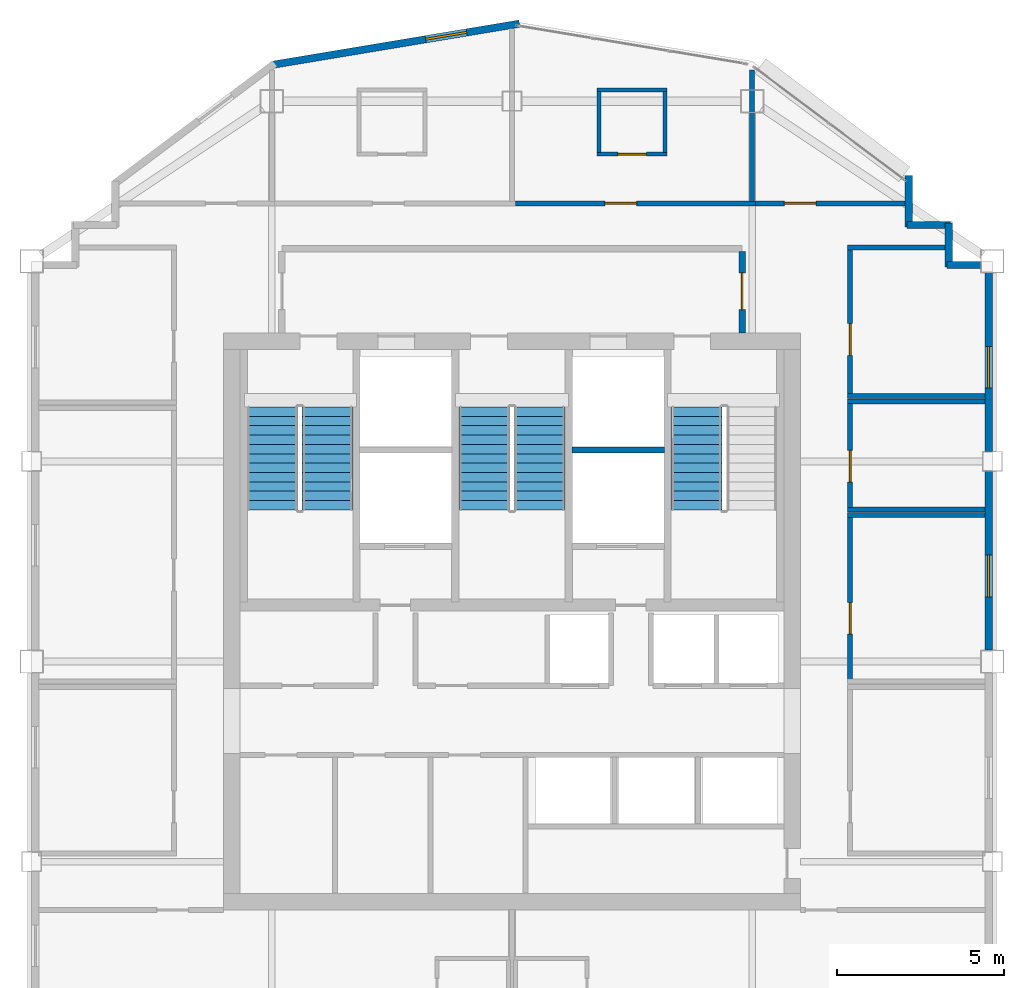
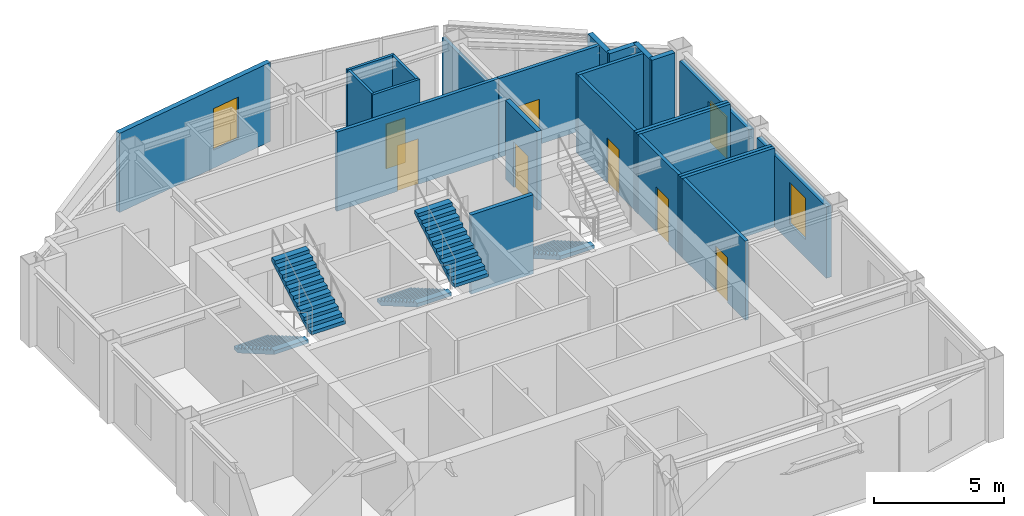
# One storey, part 7 of 9: 24 walls, 7 doors, 5 stair flights, 3 windows, 10 openings, 3 elements without a shape of their own.
"""IFC4 building model written with IfcOpenShell, lengths in metres."""

import ifcopenshell
import ifcopenshell.guid

model = None  # the IFC model being written
_history = None  # IfcOwnerHistory: only IFC2X3 demands one
_inside = {}  # id of a spatial element -> (the spatial element, [elements in it])
_under = {}  # id of a project, library or spatial element -> (it, [spatial elements below it])
_declared = {}  # id of a project -> (the project, [libraries it declares])
_typed = {}  # id of a type object -> (the type object, [elements of that type])
_made_of = {}  # id of a material, layer set ... -> (it, [elements and type objects made of it])


def new_model(schema):
    """Start an empty IFC model of exactly this schema.

    Asked for "IFC4X3", IfcOpenShell would pick the latest addendum, in which some entities
    have other attributes; the version numbers below select the first issue.
    IFC2X3 requires an IfcOwnerHistory on every rooted entity: one is made here for all.
    """
    global model, _history
    if schema == "IFC4X3":
        model = ifcopenshell.file(schema_version=(4, 3, 0, 0))
    else:
        model = ifcopenshell.file(schema=schema)
    _inside.clear()
    _under.clear()
    _declared.clear()
    _typed.clear()
    _made_of.clear()
    _history = None
    if model.schema == "IFC2X3":
        org = make("IfcOrganization", Name="unknown")
        user = make(
            "IfcPersonAndOrganization",
            ThePerson=make("IfcPerson", FamilyName="unknown"),
            TheOrganization=org,
        )
        app = make(
            "IfcApplication",
            ApplicationDeveloper=org,
            Version="unknown",
            ApplicationFullName="unknown",
            ApplicationIdentifier="unknown",
        )
        _history = make(
            "IfcOwnerHistory",
            OwningUser=user,
            OwningApplication=app,
            ChangeAction="ADDED",
            CreationDate=0,
        )
    return model


def make(cls, **values):
    """One entity of the class cls with the attributes given. An attribute that is None is left unset."""
    return model.create_entity(
        cls, **{name: value for name, value in values.items() if value is not None}
    )


def rooted(cls, **values):
    """An entity with a GlobalId (a new one), such as an element, a storey or a relation."""
    return make(cls, GlobalId=ifcopenshell.guid.new(), OwnerHistory=_history, **values)


def si_unit(unit_type, name, prefix=None):
    """IfcSIUnit, for example si_unit("LENGTHUNIT", "METRE", prefix="MILLI")."""
    return make("IfcSIUnit", UnitType=unit_type, Prefix=prefix, Name=name)


def assignment(units):
    """IfcUnitAssignment: the units of a project."""
    return None if units is None else make("IfcUnitAssignment", Units=units)


def point(xyz):
    """IfcCartesianPoint."""
    return None if xyz is None else make("IfcCartesianPoint", Coordinates=xyz)


def direction(xyz):
    """IfcDirection."""
    return None if xyz is None else make("IfcDirection", DirectionRatios=xyz)


def frame(location, z_axis=None, x_axis=None):
    """IfcAxis2Placement3D, a coordinate frame: its origin and axes. An axis left out is left unset."""
    return make(
        "IfcAxis2Placement3D",
        Location=point(location),
        Axis=direction(z_axis),
        RefDirection=direction(x_axis),
    )


def frame_2d(location, x_axis=None):
    """IfcAxis2Placement2D, a coordinate frame in the plane: its origin and x axis."""
    return make(
        "IfcAxis2Placement2D", Location=point(location), RefDirection=direction(x_axis)
    )


def origin():
    """The frame at (0, 0, 0) with its axes left unset."""
    return frame((0.0, 0.0, 0.0))


def place(relative_to, where):
    """IfcLocalPlacement: puts the frame where relative to a parent placement (None: the world)."""
    return make(
        "IfcLocalPlacement", PlacementRelTo=relative_to, RelativePlacement=where
    )


def context(
    kind, dimensions, precision=None, world=None, true_north=None, identifier=None
):
    """IfcGeometricRepresentationContext, for example the 3D "Model" context."""
    return make(
        "IfcGeometricRepresentationContext",
        ContextIdentifier=identifier,
        ContextType=kind,
        CoordinateSpaceDimension=dimensions,
        Precision=precision,
        WorldCoordinateSystem=world,
        TrueNorth=true_north,
    )


def subcontext(parent, identifier, kind, view, scale=None):
    """IfcGeometricRepresentationSubContext, for example "Body" below "Model"."""
    return make(
        "IfcGeometricRepresentationSubContext",
        ContextIdentifier=identifier,
        ContextType=kind,
        ParentContext=parent,
        TargetScale=scale,
        TargetView=view,
    )


def project(units=None, contexts=None):
    """IfcProject with its units and contexts."""
    return rooted(
        "IfcProject",
        Name="project",
        RepresentationContexts=contexts,
        UnitsInContext=assignment(units),
    )


def spatial(cls, under=None, at=None, **own):
    """A site, building, storey or space (cls), placed at a placement, below another one or the project."""
    s = rooted(cls, ObjectPlacement=at, **own)
    if under is not None:
        _under.setdefault(under.id(), (under, []))[1].append(s)
    return s


def polyline(points):
    """IfcPolyline through the points."""
    return make("IfcPolyline", Points=[point(p) for p in points])


def profile(cls, at=None, kind="AREA", **sizes):
    """A parametric profile (cls). Its sizes go by their IFC names, for example OverallWidth=200.0."""
    return make(cls, ProfileType=kind, Position=at, **sizes)


def rectangle(**sizes):
    """IfcRectangleProfileDef."""
    return profile("IfcRectangleProfileDef", **sizes)


def outline(outer, holes=None, kind="AREA"):
    """IfcArbitraryClosedProfileDef: a profile drawn as a closed curve; with holes, ...WithVoids."""
    if holes is None:
        return make("IfcArbitraryClosedProfileDef", ProfileType=kind, OuterCurve=outer)
    return make(
        "IfcArbitraryProfileDefWithVoids",
        ProfileType=kind,
        OuterCurve=outer,
        InnerCurves=holes,
    )


def extrude(swept, where, along, depth):
    """IfcExtrudedAreaSolid: the profile swept, set in the frame where, extruded along a direction by depth."""
    return make(
        "IfcExtrudedAreaSolid",
        SweptArea=swept,
        Position=where,
        ExtrudedDirection=direction(along),
        Depth=depth,
    )


def shape(context_of_items, identifier, shape_type, items):
    """IfcShapeRepresentation: the items that make up one representation, for example the "Body"."""
    return make(
        "IfcShapeRepresentation",
        ContextOfItems=context_of_items,
        RepresentationIdentifier=identifier,
        RepresentationType=shape_type,
        Items=items,
    )


def material(Name=None, Category=None):
    """IfcMaterial."""
    return make("IfcMaterial", Name=Name, Category=Category)


def layer(
    of_material, thickness, ventilated=None, Name=None, Category=None, Priority=None
):
    """IfcMaterialLayer: one layer of a wall or slab, of a material (None: an air gap)."""
    return make(
        "IfcMaterialLayer",
        Material=of_material,
        LayerThickness=thickness,
        IsVentilated=ventilated,
        Name=Name,
        Category=Category,
        Priority=Priority,
    )


def layer_set(layers, Name=None):
    """IfcMaterialLayerSet."""
    return make("IfcMaterialLayerSet", MaterialLayers=layers, LayerSetName=Name)


def made_of(thing, what):
    """Note that an element or type object is made of a material, layer set ...; save() writes the relation."""
    if what is not None:
        _made_of.setdefault(what.id(), (what, []))[1].append(thing)
    return thing


def type_object(cls, material=None, **own):
    """A type object (cls), such as IfcWallType, which elements share."""
    return made_of(rooted(cls, **own), material)


def element(
    cls,
    number,
    at=None,
    inside=None,
    cuts=None,
    type_object=None,
    material=None,
    context=None,
    identifier="Body",
    shape_type=None,
    held_by="IfcProductDefinitionShape",
    body=None,
    shapes=None,
    **own,
):
    """One element of the class cls, such as IfcWall. Its Tag is "e" and its number.

    at: its placement. inside: the storey or other place that contains it. cuts: it is an
    opening in that element (IfcRelVoidsElement). A single representation is given by context,
    identifier, shape_type and body (its items); several are given by shapes. held_by: the class
    of the entity that holds the representations. save() writes the other relations.
    """
    e = rooted(cls, Tag="e%d" % number, ObjectPlacement=at, **own)
    if body is not None:
        shapes = [shape(context, identifier, shape_type, body)]
    if shapes is not None:
        e.Representation = make(held_by, Representations=shapes)
    if inside is not None:
        _inside.setdefault(inside.id(), (inside, []))[1].append(e)
    if cuts is not None:
        rooted(
            "IfcRelVoidsElement", RelatingBuildingElement=cuts, RelatedOpeningElement=e
        )
    if type_object is not None:
        _typed.setdefault(type_object.id(), (type_object, []))[1].append(e)
    return made_of(e, material)


def fill(opening, filler):
    """IfcRelFillsElement: the door or window that sits in an opening."""
    return rooted(
        "IfcRelFillsElement",
        RelatingOpeningElement=opening,
        RelatedBuildingElement=filler,
    )


def aggregate(whole, parts):
    """IfcRelAggregates: a whole, such as a stair, and the parts it consists of."""
    return rooted("IfcRelAggregates", RelatingObject=whole, RelatedObjects=parts)


def save(model, path):
    """Write the relations noted so far, then the file.

    IfcRelAggregates (storeys below a building ...), IfcRelContainedInSpatialStructure (elements
    in a storey), IfcRelDefinesByType, IfcRelAssociatesMaterial and IfcRelDeclares: one each for
    every whole, place, type object, material and project.
    """
    for whole, parts in _under.values():
        aggregate(whole, parts)
    for where, things in _inside.values():
        rooted(
            "IfcRelContainedInSpatialStructure",
            RelatedElements=things,
            RelatingStructure=where,
        )
    for kind, things in _typed.values():
        rooted("IfcRelDefinesByType", RelatedObjects=things, RelatingType=kind)
    for what, things in _made_of.values():
        rooted("IfcRelAssociatesMaterial", RelatedObjects=things, RelatingMaterial=what)
    for by, libraries in _declared.values():
        rooted("IfcRelDeclares", RelatingContext=by, RelatedDefinitions=libraries)
    model.write(path)


model = new_model("IFC4")

# Units and contexts
model_context = context("Model", 3, precision=1e-05, world=origin(), true_north=direction((0.0, 1.0)))
body_context = subcontext(model_context, "Body", "Model", "MODEL_VIEW")
ifc_project = project(units=[si_unit("LENGTHUNIT", "METRE"), si_unit("AREAUNIT", "SQUARE_METRE"), si_unit("VOLUMEUNIT", "CUBIC_METRE"), si_unit("PLANEANGLEUNIT", "RADIAN"), si_unit("MASSUNIT", "GRAM", prefix="KILO")], contexts=[model_context])

# Site, building, storey
site_placement = place(None, origin())
site = spatial("IfcSite", under=ifc_project, at=site_placement, CompositionType="ELEMENT")
building_placement = place(site_placement, origin())
building = spatial("IfcBuilding", under=site, at=building_placement, Name="Haolan Belvedere Tower", CompositionType="ELEMENT")
storey_placement = place(building_placement, frame((0.0, 0.0, 290.0)))
storey = spatial("IfcBuildingStorey", under=building, at=storey_placement, Name="L73", CompositionType="ELEMENT", Elevation=290.0)

# Wall, opening, window
ifc_material_1 = material(Name="Precast concrete C40/50", Category="concrete")
ifc_layer_1 = layer(ifc_material_1, 0.219970703125, Name="Precast concrete C40/50")
ifc_layer_set_1 = layer_set([ifc_layer_1], Name="Precast concrete C40/50")
wall_type_1 = type_object("IfcWallType", Name="WL-EXT-220", PredefinedType="SOLIDWALL", material=ifc_layer_set_1)
wall_1_placement = place(storey_placement, frame((52.68994140625, 33.94189453125, 0.0), z_axis=(0.0, 0.0, 1.0), x_axis=(0.0, 1.0, 0.0)))
wall_1 = element("IfcWall", 1, at=wall_1_placement, inside=storey, type_object=wall_type_1, Name="L73 pale-metal exterior spandrel wall 3.3", PredefinedType="SOLIDWALL", context=body_context, shape_type="SweptSolid", body=[
    extrude(rectangle(XDim=5.3662109375, YDim=0.219970703125, at=frame_2d((2.68310546875, 0.0))), origin(), (0.0, 0.0, 1.0), 3.364990234375),
])
opening_1_placement = place(wall_1_placement, frame((1.60009765625, 0.0, 0.85009765625)))
opening_1 = element("IfcOpeningElement", 2, at=opening_1_placement, cuts=wall_1, Name="Opening W-04", PredefinedType="OPENING", context=body_context, shape_type="SweptSolid", body=[
    extrude(rectangle(XDim=1.25, YDim=1.949951171875, at=frame_2d((0.625, 0.97509765625))), frame((0.0, 0.119873046875, 0.0), z_axis=(0.0, -1.0, 0.0), x_axis=(1.0, 0.0, 0.0)), (0.0, 0.0, 1.0), 0.239990234375),
])
ifc_material_2 = material(Name="Anodised aluminium 6063-T6 and Low-E glass", Category="aluminium")
window_type = type_object("IfcWindowType", Name="WN-DECO-Z4", PartitioningType="SINGLE_PANEL", PredefinedType="WINDOW", material=ifc_material_2)
window_1_placement = place(opening_1_placement, origin())
window_1 = element("IfcWindow", 3, at=window_1_placement, inside=storey, type_object=window_type, Name="L73 Art Deco chevron window 1", OverallHeight=1.949951171875, OverallWidth=1.25, PartitioningType="SINGLE_PANEL", PredefinedType="WINDOW", context=body_context, shape_type="SweptSolid", body=[
    extrude(rectangle(XDim=1.25, YDim=1.949951171875, at=frame_2d((0.625, 0.97509765625))), frame((0.0, 0.030029296875, 0.0), z_axis=(0.0, -1.0, 0.0), x_axis=(1.0, 0.0, 0.0)), (0.0, 0.0, 1.0), 0.06005859375),
])
fill(opening_1, window_1)

wall_2_placement = place(storey_placement, frame((52.68994140625, 39.89208984375, 0.0), z_axis=(0.0, 0.0, 1.0), x_axis=(0.0, 1.0, 0.0)))
wall_2 = element("IfcWall", 4, at=wall_2_placement, inside=storey, type_object=wall_type_1, Name="L73 pale-metal exterior spandrel wall 3.4", PredefinedType="SOLIDWALL", context=body_context, shape_type="SweptSolid", body=[
    extrude(rectangle(XDim=5.365966796875, YDim=0.219970703125, at=frame_2d((2.68310546875, 0.0))), origin(), (0.0, 0.0, 1.0), 3.364990234375),
])
opening_2_placement = place(wall_2_placement, frame((1.903076171875, 0.0, 0.85009765625)))
opening_2 = element("IfcOpeningElement", 5, at=opening_2_placement, cuts=wall_2, Name="Opening W-04", PredefinedType="OPENING", context=body_context, shape_type="SweptSolid", body=[
    extrude(rectangle(XDim=1.25, YDim=1.949951171875, at=frame_2d((0.625, 0.97509765625))), frame((0.0, 0.119873046875, 0.0), z_axis=(0.0, -1.0, 0.0), x_axis=(1.0, 0.0, 0.0)), (0.0, 0.0, 1.0), 0.239990234375),
])
window_2_placement = place(opening_2_placement, origin())
window_2 = element("IfcWindow", 6, at=window_2_placement, inside=storey, type_object=window_type, Name="L73 Art Deco chevron window 1", OverallHeight=1.949951171875, OverallWidth=1.25, PartitioningType="SINGLE_PANEL", PredefinedType="WINDOW", context=body_context, shape_type="SweptSolid", body=[
    extrude(rectangle(XDim=1.25, YDim=1.949951171875, at=frame_2d((0.625, 0.97509765625))), frame((0.0, 0.030029296875, 0.0), z_axis=(0.0, -1.0, 0.0), x_axis=(1.0, 0.0, 0.0)), (0.0, 0.0, 1.0), 0.06005859375),
])
fill(opening_2, window_2)

# Walls
wall_3_placement = place(storey_placement, frame((52.4580078125, 45.489990234375, 0.0), z_axis=(0.0, 0.0, 1.0), x_axis=(-1.0, 0.0, 0.0)))
element("IfcWall", 7, at=wall_3_placement, inside=storey, type_object=wall_type_1, Name="L73 pale-metal exterior spandrel wall 4.1", PredefinedType="SOLIDWALL", context=body_context, shape_type="SweptSolid", body=[
    extrude(rectangle(XDim=1.02294921875, YDim=0.219970703125, at=frame_2d((0.511474609375, 0.0))), origin(), (0.0, 0.0, 1.0), 3.719970703125),
])
wall_4_placement = place(storey_placement, frame((51.489990234375, 45.43505859375, 0.0), z_axis=(0.0, 0.0, 1.0), x_axis=(0.0, 1.0, 0.0)))
element("IfcWall", 8, at=wall_4_placement, inside=storey, type_object=wall_type_1, Name="L73 pale-metal exterior spandrel wall 5.1", PredefinedType="SOLIDWALL", context=body_context, shape_type="SweptSolid", body=[
    extrude(rectangle(XDim=1.31005859375, YDim=0.219970703125, at=frame_2d((0.655029296875, 0.0))), origin(), (0.0, 0.0, 1.0), 3.719970703125),
])
wall_5_placement = place(storey_placement, frame((51.544921875, 46.68994140625, 0.0), z_axis=(0.0, 0.0, 1.0), x_axis=(-1.0, 0.0, 0.0)))
element("IfcWall", 9, at=wall_5_placement, inside=storey, type_object=wall_type_1, Name="L73 pale-metal exterior spandrel wall 6.1", PredefinedType="SOLIDWALL", context=body_context, shape_type="SweptSolid", body=[
    extrude(rectangle(XDim=1.309814453125, YDim=0.219970703125, at=frame_2d((0.65478515625, 0.0))), origin(), (0.0, 0.0, 1.0), 3.719970703125),
])
wall_6_placement = place(storey_placement, frame((50.2900390625, 46.635009765625, 0.0), z_axis=(0.0, 0.0, 1.0), x_axis=(0.0, 1.0, 0.0)))
element("IfcWall", 10, at=wall_6_placement, inside=storey, type_object=wall_type_1, Name="L73 pale-metal exterior spandrel wall 7.1", PredefinedType="SOLIDWALL", context=body_context, shape_type="SweptSolid", body=[
    extrude(rectangle(XDim=1.534912109375, YDim=0.219970703125, at=frame_2d((0.767578125, 0.0))), origin(), (0.0, 0.0, 1.0), 3.719970703125),
])

# Wall, opening, window
wall_7_placement = place(storey_placement, frame((38.621826171875, 52.7255859375, 0.0), z_axis=(0.0, 0.0, 1.0), x_axis=(-0.986390420428, -0.164420006349, 0.0)))
wall_7 = element("IfcWall", 11, at=wall_7_placement, inside=storey, type_object=wall_type_1, Name="L73 pale-metal exterior spandrel wall 10.1", PredefinedType="SOLIDWALL", context=body_context, shape_type="SweptSolid", body=[
    extrude(rectangle(XDim=7.5341796875, YDim=0.219970703125, at=frame_2d((3.76708984375, 0.0))), origin(), (0.0, 0.0, 1.0), 3.719970703125),
])
opening_3_placement = place(wall_7_placement, frame((1.60009765625, 0.0, 0.85009765625)))
opening_3 = element("IfcOpeningElement", 12, at=opening_3_placement, cuts=wall_7, Name="Opening W-04", PredefinedType="OPENING", context=body_context, shape_type="SweptSolid", body=[
    extrude(rectangle(XDim=1.25, YDim=1.949951171875, at=frame_2d((0.625, 0.97509765625))), frame((0.0, 0.119873046875, 0.0), z_axis=(0.0, -1.0, 0.0), x_axis=(1.0, 0.0, 0.0)), (0.0, 0.0, 1.0), 0.239990234375),
])
window_3_placement = place(opening_3_placement, origin())
window_3 = element("IfcWindow", 13, at=window_3_placement, inside=storey, type_object=window_type, Name="L73 Art Deco chevron window 1", OverallHeight=1.949951171875, OverallWidth=1.25, PartitioningType="SINGLE_PANEL", PredefinedType="WINDOW", context=body_context, shape_type="SweptSolid", body=[
    extrude(rectangle(XDim=1.25, YDim=1.949951171875, at=frame_2d((0.625, 0.97509765625))), frame((0.0, 0.030029296875, 0.0), z_axis=(0.0, -1.0, 0.0), x_axis=(1.0, 0.0, 0.0)), (0.0, 0.0, 1.0), 0.06005859375),
])
fill(opening_3, window_3)

# Wall, opening, door
ifc_material_3 = material(Name="Concrete C40/50", Category="concrete")
ifc_layer_2 = layer(ifc_material_3, 0.199951171875, Name="Concrete C40/50")
ifc_layer_set_2 = layer_set([ifc_layer_2], Name="Concrete C40/50")
wall_type_2 = type_object("IfcWallType", Name="WL-FIRE-200", PredefinedType="SOLIDWALL", material=ifc_layer_set_2)
wall_8_placement = place(storey_placement, frame((45.300048828125, 43.449951171875, 0.0), z_axis=(0.0, 0.0, 1.0), x_axis=(0.0, 1.0, 0.0)))
wall_8 = element("IfcWall", 14, at=wall_8_placement, inside=storey, type_object=wall_type_2, Name="L73 interior partition IW-L73-FFL-E", PredefinedType="SOLIDWALL", context=body_context, shape_type="SweptSolid", body=[
    extrude(rectangle(XDim=2.445068359375, YDim=0.199951171875, at=frame_2d((1.22265625, 0.0))), origin(), (0.0, 0.0, 1.0), 3.719970703125),
])
opening_4_placement = place(wall_8_placement, frame((0.699951171875, 0.0, 0.0)))
opening_4 = element("IfcOpeningElement", 15, at=opening_4_placement, cuts=wall_8, Name="Opening FD-03", PredefinedType="OPENING", context=body_context, shape_type="SweptSolid", body=[
    extrude(rectangle(XDim=1.10009765625, YDim=2.14990234375, at=frame_2d((0.550048828125, 1.074951171875))), frame((0.0, 0.10986328125, 0.0), z_axis=(0.0, -1.0, 0.0), x_axis=(1.0, 0.0, 0.0)), (0.0, 0.0, 1.0), 0.219970703125),
])
ifc_material_4 = material(Name="Galvanised fire-rated steel", Category="steel")
door_type_1 = type_object("IfcDoorType", Name="DR-FD90-1100", OperationType="NOTDEFINED", PredefinedType="DOOR", material=ifc_material_4)
door_1_placement = place(opening_4_placement, origin())
door_1 = element("IfcDoor", 16, at=door_1_placement, inside=storey, type_object=door_type_1, Name="L73 door ID-L73-FFL-DE", OperationType="SINGLE_SWING_RIGHT", OverallHeight=2.14990234375, OverallWidth=1.10009765625, PredefinedType="DOOR", context=body_context, shape_type="SweptSolid", body=[
    extrude(rectangle(XDim=1.10009765625, YDim=2.14990234375, at=frame_2d((0.550048828125, 1.074951171875))), frame((0.0, 0.02490234375, 0.0), z_axis=(0.0, -1.0, 0.0), x_axis=(1.0, 0.0, 0.0)), (0.0, 0.0, 1.0), 0.050048828125),
])
fill(opening_4, door_1)

# Wall
ifc_material_5 = material(Name="Double gypsum acoustic stud partition", Category="masonry")
ifc_layer_3 = layer(ifc_material_5, 0.14990234375, Name="Double gypsum acoustic stud partition")
ifc_layer_set_3 = layer_set([ifc_layer_3], Name="Double gypsum acoustic stud partition")
wall_type_3 = type_object("IfcWallType", Name="WL-PART-150", PredefinedType="PARTITIONING", material=ifc_layer_set_3)
wall_9_placement = place(storey_placement, frame((48.4599609375, 38.0, 0.0), z_axis=(0.0, 0.0, 1.0), x_axis=(1.0, 0.0, 0.0)))
element("IfcWall", 17, at=wall_9_placement, inside=storey, type_object=wall_type_3, Name="L73 interior partition IW-L73-BPN-N", PredefinedType="PARTITIONING", context=body_context, shape_type="SweptSolid", body=[
    extrude(rectangle(XDim=4.1279296875, YDim=0.14990234375, at=frame_2d((2.06396484375, 0.0))), origin(), (0.0, 0.0, 1.0), 3.719970703125),
])

# Wall, opening, door
wall_10_placement = place(storey_placement, frame((48.5400390625, 33.06005859375, 0.0), z_axis=(0.0, 0.0, 1.0), x_axis=(0.0, 1.0, 0.0)))
wall_10 = element("IfcWall", 18, at=wall_10_placement, inside=storey, type_object=wall_type_3, Name="L73 interior partition IW-L73-BPN-W", PredefinedType="PARTITIONING", context=body_context, shape_type="SweptSolid", body=[
    extrude(rectangle(XDim=4.8798828125, YDim=0.14990234375, at=frame_2d((2.43994140625, 0.0))), origin(), (0.0, 0.0, 1.0), 3.719970703125),
])
opening_5_placement = place(wall_10_placement, frame((1.360107421875, 0.0, 0.0)))
opening_5 = element("IfcOpeningElement", 19, at=opening_5_placement, cuts=wall_10, Name="Opening ID-03", PredefinedType="OPENING", context=body_context, shape_type="SweptSolid", body=[
    extrude(rectangle(XDim=0.949951171875, YDim=2.1201171875, at=frame_2d((0.47509765625, 1.06005859375))), frame((0.0, 0.0849609375, 0.0), z_axis=(0.0, -1.0, 0.0), x_axis=(1.0, 0.0, 0.0)), (0.0, 0.0, 1.0), 0.169921875),
])
ifc_material_6 = material(Name="Painted solid-core timber", Category="wood")
door_type_2 = type_object("IfcDoorType", Name="DR-INT-950", OperationType="NOTDEFINED", PredefinedType="DOOR", material=ifc_material_6)
door_2_placement = place(opening_5_placement, origin())
door_2 = element("IfcDoor", 20, at=door_2_placement, inside=storey, type_object=door_type_2, Name="L73 door ID-L73-BPN", OperationType="SINGLE_SWING_RIGHT", OverallHeight=2.1201171875, OverallWidth=0.949951171875, PredefinedType="DOOR", context=body_context, shape_type="SweptSolid", body=[
    extrude(rectangle(XDim=0.949951171875, YDim=2.1201171875, at=frame_2d((0.47509765625, 1.06005859375))), frame((0.0, 0.02490234375, 0.0), z_axis=(0.0, -1.0, 0.0), x_axis=(1.0, 0.0, 0.0)), (0.0, 0.0, 1.0), 0.050048828125),
])
fill(opening_5, door_2)

# Walls
for number, where, z_axis, x_axis, name in (
    (21, (48.4599609375, 41.39990234375, 0.0), (0.0, 0.0, 1.0), (1.0, 0.0, 0.0), "L73 interior partition IW-L73-AWC-N"),
    (22, (48.4599609375, 38.159912109375, 0.0), (0.0, 0.0, 1.0), (1.0, 0.0, 0.0), "L73 interior partition IW-L73-AWC-S"),
):
    element("IfcWall", number, at=place(storey_placement, frame(where, z_axis=z_axis, x_axis=x_axis)), inside=storey, type_object=wall_type_3, Name=name, PredefinedType="PARTITIONING", context=body_context, shape_type="SweptSolid", body=[
        extrude(rectangle(XDim=4.1279296875, YDim=0.14990234375, at=frame_2d((2.06396484375, 0.0))), origin(), (0.0, 0.0, 1.0), 3.719970703125),
    ])

# Wall, opening, door
wall_11_placement = place(storey_placement, frame((48.5400390625, 38.219970703125, 0.0), z_axis=(0.0, 0.0, 1.0), x_axis=(0.0, 1.0, 0.0)))
wall_11 = element("IfcWall", 23, at=wall_11_placement, inside=storey, type_object=wall_type_3, Name="L73 interior partition IW-L73-AWC-W", PredefinedType="PARTITIONING", context=body_context, shape_type="SweptSolid", body=[
    extrude(rectangle(XDim=3.1201171875, YDim=0.14990234375, at=frame_2d((1.56005859375, 0.0))), origin(), (0.0, 0.0, 1.0), 3.719970703125),
])
opening_6_placement = place(wall_11_placement, frame((0.760009765625, 0.0, 0.0)))
opening_6 = element("IfcOpeningElement", 24, at=opening_6_placement, cuts=wall_11, Name="Opening ID-03", PredefinedType="OPENING", context=body_context, shape_type="SweptSolid", body=[
    extrude(rectangle(XDim=0.949951171875, YDim=2.1201171875, at=frame_2d((0.47509765625, 1.06005859375))), frame((0.0, 0.0849609375, 0.0), z_axis=(0.0, -1.0, 0.0), x_axis=(1.0, 0.0, 0.0)), (0.0, 0.0, 1.0), 0.169921875),
])
door_3_placement = place(opening_6_placement, origin())
door_3 = element("IfcDoor", 25, at=door_3_placement, inside=storey, type_object=door_type_2, Name="L73 door ID-L73-AWC", OperationType="SINGLE_SWING_LEFT", OverallHeight=2.1201171875, OverallWidth=0.949951171875, PredefinedType="DOOR", context=body_context, shape_type="SweptSolid", body=[
    extrude(rectangle(XDim=0.949951171875, YDim=2.1201171875, at=frame_2d((0.47509765625, 1.06005859375))), frame((0.0, 0.02490234375, 0.0), z_axis=(0.0, -1.0, 0.0), x_axis=(1.0, 0.0, 0.0)), (0.0, 0.0, 1.0), 0.050048828125),
])
fill(opening_6, door_3)

# Walls
wall_12_placement = place(storey_placement, frame((48.4599609375, 46.02001953125, 0.0), z_axis=(0.0, 0.0, 1.0), x_axis=(1.0, 0.0, 0.0)))
element("IfcWall", 26, at=wall_12_placement, inside=storey, type_object=wall_type_3, Name="L73 interior partition IW-L73-CLN-N", PredefinedType="PARTITIONING", context=body_context, shape_type="SweptSolid", body=[
    extrude(rectangle(XDim=2.927978515625, YDim=0.14990234375, at=frame_2d((1.4638671875, 0.0))), origin(), (0.0, 0.0, 1.0), 3.719970703125),
])
wall_13_placement = place(storey_placement, frame((48.4599609375, 41.56005859375, 0.0), z_axis=(0.0, 0.0, 1.0), x_axis=(1.0, 0.0, 0.0)))
element("IfcWall", 27, at=wall_13_placement, inside=storey, type_object=wall_type_3, Name="L73 interior partition IW-L73-CLN-S", PredefinedType="PARTITIONING", context=body_context, shape_type="SweptSolid", body=[
    extrude(rectangle(XDim=4.1279296875, YDim=0.14990234375, at=frame_2d((2.06396484375, 0.0))), origin(), (0.0, 0.0, 1.0), 3.719970703125),
])

# Wall, opening, door
wall_14_placement = place(storey_placement, frame((48.5400390625, 41.6201171875, 0.0), z_axis=(0.0, 0.0, 1.0), x_axis=(0.0, 1.0, 0.0)))
wall_14 = element("IfcWall", 28, at=wall_14_placement, inside=storey, type_object=wall_type_3, Name="L73 interior partition IW-L73-CLN-W", PredefinedType="PARTITIONING", context=body_context, shape_type="SweptSolid", body=[
    extrude(rectangle(XDim=4.33984375, YDim=0.14990234375, at=frame_2d((2.169921875, 0.0))), origin(), (0.0, 0.0, 1.0), 3.719970703125),
])
opening_7_placement = place(wall_14_placement, frame((1.159912109375, 0.0, 0.0)))
opening_7 = element("IfcOpeningElement", 29, at=opening_7_placement, cuts=wall_14, Name="Opening ID-03", PredefinedType="OPENING", context=body_context, shape_type="SweptSolid", body=[
    extrude(rectangle(XDim=0.949951171875, YDim=2.1201171875, at=frame_2d((0.47509765625, 1.06005859375))), frame((0.0, 0.0849609375, 0.0), z_axis=(0.0, -1.0, 0.0), x_axis=(1.0, 0.0, 0.0)), (0.0, 0.0, 1.0), 0.169921875),
])
door_4_placement = place(opening_7_placement, origin())
door_4 = element("IfcDoor", 30, at=door_4_placement, inside=storey, type_object=door_type_2, Name="L73 door ID-L73-CLN", OperationType="SINGLE_SWING_RIGHT", OverallHeight=2.1201171875, OverallWidth=0.949951171875, PredefinedType="DOOR", context=body_context, shape_type="SweptSolid", body=[
    extrude(rectangle(XDim=0.949951171875, YDim=2.1201171875, at=frame_2d((0.47509765625, 1.06005859375))), frame((0.0, 0.02490234375, 0.0), z_axis=(0.0, -1.0, 0.0), x_axis=(1.0, 0.0, 0.0)), (0.0, 0.0, 1.0), 0.050048828125),
])
fill(opening_7, door_4)

wall_15_placement = place(storey_placement, frame((38.501953125, 47.340087890625, 0.0), z_axis=(0.0, 0.0, 1.0), x_axis=(1.0, 0.0, 0.0)))
wall_15 = element("IfcWall", 31, at=wall_15_placement, inside=storey, type_object=wall_type_3, Name="L73 interior partition IW-L73-KN3-S", PredefinedType="PARTITIONING", context=body_context, shape_type="SweptSolid", body=[
    extrude(rectangle(XDim=7.197998046875, YDim=0.14990234375, at=frame_2d((3.59912109375, 0.0))), origin(), (0.0, 0.0, 1.0), 3.719970703125),
])
opening_8_placement = place(wall_15_placement, frame((2.684814453125, 0.0, 0.0)))
opening_8 = element("IfcOpeningElement", 32, at=opening_8_placement, cuts=wall_15, Name="Opening ID-02", PredefinedType="OPENING", context=body_context, shape_type="SweptSolid", body=[
    extrude(rectangle(XDim=0.949951171875, YDim=2.14990234375, at=frame_2d((0.47509765625, 1.074951171875))), frame((0.0, 0.0849609375, 0.0), z_axis=(0.0, -1.0, 0.0), x_axis=(1.0, 0.0, 0.0)), (0.0, 0.0, 1.0), 0.169921875),
])
ifc_material_7 = material(Name="Acoustic oak veneer fire-rated timber", Category="wood")
door_type_3 = type_object("IfcDoorType", Name="DR-GUEST-950", OperationType="NOTDEFINED", PredefinedType="DOOR", material=ifc_material_7)
door_5_placement = place(opening_8_placement, origin())
door_5 = element("IfcDoor", 33, at=door_5_placement, inside=storey, type_object=door_type_3, Name="L73 door ID-L73-KN3-ENT", OperationType="SINGLE_SWING_LEFT", OverallHeight=2.14990234375, OverallWidth=0.949951171875, PredefinedType="DOOR", context=body_context, shape_type="SweptSolid", body=[
    extrude(rectangle(XDim=0.949951171875, YDim=2.14990234375, at=frame_2d((0.47509765625, 1.074951171875))), frame((0.0, 0.02490234375, 0.0), z_axis=(0.0, -1.0, 0.0), x_axis=(1.0, 0.0, 0.0)), (0.0, 0.0, 1.0), 0.050048828125),
])
fill(opening_8, door_5)

# Wall
wall_16_placement = place(storey_placement, frame((45.60009765625, 47.39990234375, 0.0), z_axis=(0.0, 0.0, 1.0), x_axis=(0.0, 1.0, 0.0)))
element("IfcWall", 34, at=wall_16_placement, inside=storey, type_object=wall_type_3, Name="L73 interior partition IW-L73-KN3-E", PredefinedType="PARTITIONING", context=body_context, shape_type="SweptSolid", body=[
    extrude(rectangle(XDim=3.93505859375, YDim=0.14990234375, at=frame_2d((1.967529296875, 0.0))), origin(), (0.0, 0.0, 1.0), 3.2548828125),
])

# Wall, opening, door
wall_17_placement = place(storey_placement, frame((45.701904296875, 47.340087890625, 0.0), z_axis=(0.0, 0.0, 1.0), x_axis=(1.0, 0.0, 0.0)))
wall_17 = element("IfcWall", 35, at=wall_17_placement, inside=storey, type_object=wall_type_3, Name="L73 interior partition IW-L73-KN4-S", PredefinedType="PARTITIONING", context=body_context, shape_type="SweptSolid", body=[
    extrude(rectangle(XDim=4.486083984375, YDim=0.14990234375, at=frame_2d((2.2431640625, 0.0))), origin(), (0.0, 0.0, 1.0), 3.719970703125),
])
opening_9_placement = place(wall_17_placement, frame((0.863037109375, 0.0, 0.0)))
opening_9 = element("IfcOpeningElement", 36, at=opening_9_placement, cuts=wall_17, Name="Opening ID-03", PredefinedType="OPENING", context=body_context, shape_type="SweptSolid", body=[
    extrude(rectangle(XDim=0.949951171875, YDim=2.1201171875, at=frame_2d((0.47509765625, 1.06005859375))), frame((0.0, 0.0849609375, 0.0), z_axis=(0.0, -1.0, 0.0), x_axis=(1.0, 0.0, 0.0)), (0.0, 0.0, 1.0), 0.169921875),
])
door_6_placement = place(opening_9_placement, origin())
door_6 = element("IfcDoor", 37, at=door_6_placement, inside=storey, type_object=door_type_2, Name="L73 door ID-L73-KN4", OperationType="SINGLE_SWING_RIGHT", OverallHeight=2.1201171875, OverallWidth=0.949951171875, PredefinedType="DOOR", context=body_context, shape_type="SweptSolid", body=[
    extrude(rectangle(XDim=0.949951171875, YDim=2.1201171875, at=frame_2d((0.47509765625, 1.06005859375))), frame((0.0, 0.02490234375, 0.0), z_axis=(0.0, -1.0, 0.0), x_axis=(1.0, 0.0, 0.0)), (0.0, 0.0, 1.0), 0.050048828125),
])
fill(opening_9, door_6)

# Walls
ifc_layer_4 = layer(ifc_material_1, 0.179931640625, Name="Precast concrete C40/50")
ifc_layer_set_4 = layer_set([ifc_layer_4], Name="Precast concrete C40/50")
wall_type_4 = type_object("IfcWallType", Name="WL-SHAFT-180", PredefinedType="SOLIDWALL", material=ifc_layer_set_4)
wall_18_placement = place(storey_placement, frame((40.195068359375, 39.949951171875, 0.0), z_axis=(0.0, 0.0, 1.0), x_axis=(1.0, 0.0, 0.0)))
element("IfcWall", 38, at=wall_18_placement, inside=storey, type_object=wall_type_4, Name="L73 interior partition IW-L73-FF2-S", PredefinedType="SOLIDWALL", context=body_context, shape_type="SweptSolid", body=[
    extrude(rectangle(XDim=2.77001953125, YDim=0.179931640625, at=frame_2d((1.385009765625, 0.0))), origin(), (0.0, 0.0, 1.0), 3.719970703125),
])
ifc_material_8 = material(Name="Moisture-resistant gypsum tile partition", Category="masonry")
ifc_layer_5 = layer(ifc_material_8, 0.1201171875, Name="Moisture-resistant gypsum tile partition")
ifc_layer_set_5 = layer_set([ifc_layer_5], Name="Moisture-resistant gypsum tile partition")
wall_type_5 = type_object("IfcWallType", Name="WL-WET-120", PredefinedType="PARTITIONING", material=ifc_layer_set_5)
wall_19_placement = place(storey_placement, frame((40.949951171875, 50.72998046875, 0.0), z_axis=(0.0, 0.0, 1.0), x_axis=(1.0, 0.0, 0.0)))
element("IfcWall", 39, at=wall_19_placement, inside=storey, type_object=wall_type_5, Name="L73 interior partition IW-L73-KN3-BN", PredefinedType="PARTITIONING", context=body_context, shape_type="SweptSolid", body=[
    extrude(rectangle(XDim=2.10009765625, YDim=0.1201171875, at=frame_2d((1.050048828125, 0.0))), origin(), (0.0, 0.0, 1.0), 3.719970703125),
])

# Wall, opening, door
wall_20_placement = place(storey_placement, frame((40.949951171875, 48.81005859375, 0.0), z_axis=(0.0, 0.0, 1.0), x_axis=(1.0, 0.0, 0.0)))
wall_20 = element("IfcWall", 40, at=wall_20_placement, inside=storey, type_object=wall_type_5, Name="L73 interior partition IW-L73-KN3-BS", PredefinedType="PARTITIONING", context=body_context, shape_type="SweptSolid", body=[
    extrude(rectangle(XDim=2.10009765625, YDim=0.1201171875, at=frame_2d((1.050048828125, 0.0))), origin(), (0.0, 0.0, 1.0), 3.719970703125),
])
opening_10_placement = place(wall_20_placement, frame((0.625, 0.0, 0.0)))
opening_10 = element("IfcOpeningElement", 41, at=opening_10_placement, cuts=wall_20, Name="Opening ID-05", PredefinedType="OPENING", context=body_context, shape_type="SweptSolid", body=[
    extrude(rectangle(XDim=0.85009765625, YDim=2.10009765625, at=frame_2d((0.425048828125, 1.050048828125))), frame((0.0, 0.070068359375, 0.0), z_axis=(0.0, -1.0, 0.0), x_axis=(1.0, 0.0, 0.0)), (0.0, 0.0, 1.0), 0.14013671875),
])
ifc_material_9 = material(Name="Moisture-resistant lacquered timber", Category="wood")
door_type_4 = type_object("IfcDoorType", Name="DR-BATH-850", OperationType="NOTDEFINED", PredefinedType="DOOR", material=ifc_material_9)
door_7_placement = place(opening_10_placement, origin())
door_7 = element("IfcDoor", 42, at=door_7_placement, inside=storey, type_object=door_type_4, Name="L73 door ID-L73-KN3-BATH", OperationType="SINGLE_SWING_RIGHT", OverallHeight=2.10009765625, OverallWidth=0.85009765625, PredefinedType="DOOR", context=body_context, shape_type="SweptSolid", body=[
    extrude(rectangle(XDim=0.85009765625, YDim=2.10009765625, at=frame_2d((0.425048828125, 1.050048828125))), frame((0.0, 0.02490234375, 0.0), z_axis=(0.0, -1.0, 0.0), x_axis=(1.0, 0.0, 0.0)), (0.0, 0.0, 1.0), 0.050048828125),
])
fill(opening_10, door_7)

# Walls
for number, where, z_axis, x_axis, name in (
    (43, (41.010009765625, 48.85498046875, 0.0), (0.0, 0.0, 1.0), (0.0, 1.0, 0.0), "L73 interior partition IW-L73-KN3-BW"),
    (44, (42.989990234375, 48.85498046875, 0.0), (0.0, 0.0, 1.0), (0.0, 1.0, 0.0), "L73 interior partition IW-L73-KN3-BE"),
):
    element("IfcWall", number, at=place(storey_placement, frame(where, z_axis=z_axis, x_axis=x_axis)), inside=storey, type_object=wall_type_5, Name=name, PredefinedType="PARTITIONING", context=body_context, shape_type="SweptSolid", body=[
        extrude(rectangle(XDim=1.830078125, YDim=0.1201171875, at=frame_2d((0.9150390625, 0.0))), origin(), (0.0, 0.0, 1.0), 3.719970703125),
    ])

# Stair, stair flights
stair_type = type_object("IfcStairType", Name="STR-DL-24R-162", PredefinedType="HALF_TURN_STAIR", material=ifc_material_3)
stair_1_placement = place(storey_placement, origin())
stair_1 = element("IfcStair", 45, at=stair_1_placement, inside=storey, type_object=stair_type, Name="L73 Smokeproof Core Exit Stair ST1", PredefinedType="HALF_TURN_STAIR")
stair_flight_type = type_object("IfcStairFlightType", Name="SFL-DL-12R-162", PredefinedType="STRAIGHT", material=ifc_material_3)
stair_flight_1_placement = place(storey_placement, frame((31.2099609375, 41.22998046875, 0.0), z_axis=(0.0, 0.0, 1.0), x_axis=(0.0, -1.0, 0.0)))
stair_flight_1 = element("IfcStairFlight", 46, at=stair_flight_1_placement, type_object=stair_flight_type, Name="ST1 flight 1", NumberOfRisers=12, NumberOfTreads=11, PredefinedType="STRAIGHT", RiserHeight=0.1625, TreadLength=0.28, context=body_context, shape_type="SweptSolid", body=[
    extrude(outline(polyline([(0.0, 0.0), (0.0, 0.16259765625), (0.280029296875, 0.16259765625), (0.280029296875, 0.324951171875), (0.56005859375, 0.324951171875), (0.56005859375, 0.487548828125), (0.840087890625, 0.487548828125), (0.840087890625, 0.64990234375), (1.1201171875, 0.64990234375), (1.1201171875, 0.8125), (1.39990234375, 0.8125), (1.39990234375, 0.97509765625), (1.679931640625, 0.97509765625), (1.679931640625, 1.137451171875), (1.9599609375, 1.137451171875), (1.9599609375, 1.300048828125), (2.239990234375, 1.300048828125), (2.239990234375, 1.46240234375), (2.52001953125, 1.46240234375), (2.52001953125, 1.625), (2.800048828125, 1.625), (2.800048828125, 1.78759765625), (3.080078125, 1.78759765625), (3.080078125, 1.949951171875), (3.080078125, 1.6142578125), (0.298583984375, 0.0), (0.0, 0.0)])), frame((0.0, 0.760009765625, 0.0), z_axis=(0.0, -1.0, 0.0), x_axis=(1.0, 0.0, 0.0)), (0.0, 0.0, 1.0), 1.52001953125),
])
stair_flight_2_placement = place(storey_placement, frame((32.8701171875, 38.14990234375, 1.949951171875), z_axis=(0.0, 0.0, 1.0), x_axis=(0.0, 1.0, 0.0)))
stair_flight_2 = element("IfcStairFlight", 47, at=stair_flight_2_placement, type_object=stair_flight_type, Name="ST1 flight 2", NumberOfRisers=12, NumberOfTreads=11, PredefinedType="STRAIGHT", RiserHeight=0.1625, TreadLength=0.28, context=body_context, shape_type="SweptSolid", body=[
    extrude(outline(polyline([(0.0, 0.0), (0.0, 0.16259765625), (0.280029296875, 0.16259765625), (0.280029296875, 0.324951171875), (0.56005859375, 0.324951171875), (0.56005859375, 0.487548828125), (0.840087890625, 0.487548828125), (0.840087890625, 0.64990234375), (1.1201171875, 0.64990234375), (1.1201171875, 0.8125), (1.39990234375, 0.8125), (1.39990234375, 0.97509765625), (1.679931640625, 0.97509765625), (1.679931640625, 1.137451171875), (1.9599609375, 1.137451171875), (1.9599609375, 1.300048828125), (2.239990234375, 1.300048828125), (2.239990234375, 1.46240234375), (2.52001953125, 1.46240234375), (2.52001953125, 1.625), (2.800048828125, 1.625), (2.800048828125, 1.78759765625), (3.080078125, 1.78759765625), (3.080078125, 1.949951171875), (3.080078125, 1.6142578125), (0.298583984375, 0.0), (0.0, 0.0)])), frame((0.0, 0.760009765625, 0.0), z_axis=(0.0, -1.0, 0.0), x_axis=(1.0, 0.0, 0.0)), (0.0, 0.0, 1.0), 1.52001953125),
])
aggregate(stair_1, [stair_flight_1, stair_flight_2])

stair_2_placement = place(storey_placement, origin())
stair_2 = element("IfcStair", 48, at=stair_2_placement, inside=storey, type_object=stair_type, Name="L73 Smokeproof Core Exit Stair ST3", PredefinedType="HALF_TURN_STAIR")
stair_flight_3_placement = place(storey_placement, frame((37.570068359375, 41.22998046875, 0.0), z_axis=(0.0, 0.0, 1.0), x_axis=(0.0, -1.0, 0.0)))
stair_flight_3 = element("IfcStairFlight", 49, at=stair_flight_3_placement, type_object=stair_flight_type, Name="ST3 flight 1", NumberOfRisers=12, NumberOfTreads=11, PredefinedType="STRAIGHT", RiserHeight=0.1625, TreadLength=0.28, context=body_context, shape_type="SweptSolid", body=[
    extrude(outline(polyline([(0.0, 0.0), (0.0, 0.16259765625), (0.280029296875, 0.16259765625), (0.280029296875, 0.324951171875), (0.56005859375, 0.324951171875), (0.56005859375, 0.487548828125), (0.840087890625, 0.487548828125), (0.840087890625, 0.64990234375), (1.1201171875, 0.64990234375), (1.1201171875, 0.8125), (1.39990234375, 0.8125), (1.39990234375, 0.97509765625), (1.679931640625, 0.97509765625), (1.679931640625, 1.137451171875), (1.9599609375, 1.137451171875), (1.9599609375, 1.300048828125), (2.239990234375, 1.300048828125), (2.239990234375, 1.46240234375), (2.52001953125, 1.46240234375), (2.52001953125, 1.625), (2.800048828125, 1.625), (2.800048828125, 1.78759765625), (3.080078125, 1.78759765625), (3.080078125, 1.949951171875), (3.080078125, 1.6142578125), (0.298583984375, 0.0), (0.0, 0.0)])), frame((0.0, 0.760009765625, 0.0), z_axis=(0.0, -1.0, 0.0), x_axis=(1.0, 0.0, 0.0)), (0.0, 0.0, 1.0), 1.52001953125),
])
stair_flight_4_placement = place(storey_placement, frame((39.22998046875, 38.14990234375, 1.949951171875), z_axis=(0.0, 0.0, 1.0), x_axis=(0.0, 1.0, 0.0)))
stair_flight_4 = element("IfcStairFlight", 50, at=stair_flight_4_placement, type_object=stair_flight_type, Name="ST3 flight 2", NumberOfRisers=12, NumberOfTreads=11, PredefinedType="STRAIGHT", RiserHeight=0.1625, TreadLength=0.28, context=body_context, shape_type="SweptSolid", body=[
    extrude(outline(polyline([(0.0, 0.0), (0.0, 0.16259765625), (0.280029296875, 0.16259765625), (0.280029296875, 0.324951171875), (0.56005859375, 0.324951171875), (0.56005859375, 0.487548828125), (0.840087890625, 0.487548828125), (0.840087890625, 0.64990234375), (1.1201171875, 0.64990234375), (1.1201171875, 0.8125), (1.39990234375, 0.8125), (1.39990234375, 0.97509765625), (1.679931640625, 0.97509765625), (1.679931640625, 1.137451171875), (1.9599609375, 1.137451171875), (1.9599609375, 1.300048828125), (2.239990234375, 1.300048828125), (2.239990234375, 1.46240234375), (2.52001953125, 1.46240234375), (2.52001953125, 1.625), (2.800048828125, 1.625), (2.800048828125, 1.78759765625), (3.080078125, 1.78759765625), (3.080078125, 1.949951171875), (3.080078125, 1.6142578125), (0.298583984375, 0.0), (0.0, 0.0)])), frame((0.0, 0.760009765625, 0.0), z_axis=(0.0, -1.0, 0.0), x_axis=(1.0, 0.0, 0.0)), (0.0, 0.0, 1.0), 1.52001953125),
])
aggregate(stair_2, [stair_flight_3, stair_flight_4])

# Stair, stair flight
stair_3_placement = place(storey_placement, origin())
stair_3 = element("IfcStair", 51, at=stair_3_placement, inside=storey, type_object=stair_type, Name="L73 Smokeproof Core Exit Stair ST2", PredefinedType="HALF_TURN_STAIR")
stair_flight_5_placement = place(storey_placement, frame((43.929931640625, 41.22998046875, 0.0), z_axis=(0.0, 0.0, 1.0), x_axis=(0.0, -1.0, 0.0)))
stair_flight_5 = element("IfcStairFlight", 52, at=stair_flight_5_placement, type_object=stair_flight_type, Name="ST2 flight 1", NumberOfRisers=12, NumberOfTreads=11, PredefinedType="STRAIGHT", RiserHeight=0.1625, TreadLength=0.28, context=body_context, shape_type="SweptSolid", body=[
    extrude(outline(polyline([(0.0, 0.0), (0.0, 0.16259765625), (0.280029296875, 0.16259765625), (0.280029296875, 0.324951171875), (0.56005859375, 0.324951171875), (0.56005859375, 0.487548828125), (0.840087890625, 0.487548828125), (0.840087890625, 0.64990234375), (1.1201171875, 0.64990234375), (1.1201171875, 0.8125), (1.39990234375, 0.8125), (1.39990234375, 0.97509765625), (1.679931640625, 0.97509765625), (1.679931640625, 1.137451171875), (1.9599609375, 1.137451171875), (1.9599609375, 1.300048828125), (2.239990234375, 1.300048828125), (2.239990234375, 1.46240234375), (2.52001953125, 1.46240234375), (2.52001953125, 1.625), (2.800048828125, 1.625), (2.800048828125, 1.78759765625), (3.080078125, 1.78759765625), (3.080078125, 1.949951171875), (3.080078125, 1.6142578125), (0.298583984375, 0.0), (0.0, 0.0)])), frame((0.0, 0.760009765625, 0.0), z_axis=(0.0, -1.0, 0.0), x_axis=(1.0, 0.0, 0.0)), (0.0, 0.0, 1.0), 1.52001953125),
])
aggregate(stair_3, [stair_flight_5])

save(model, "model.ifc")
